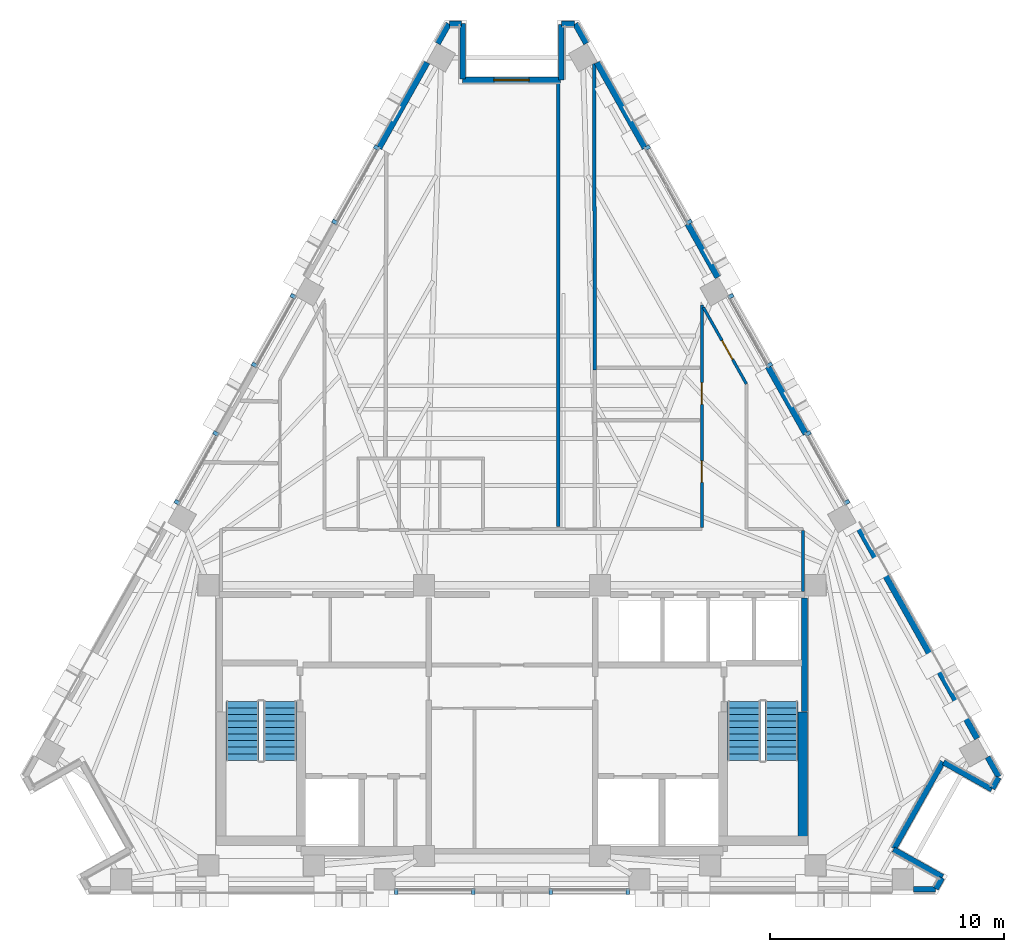
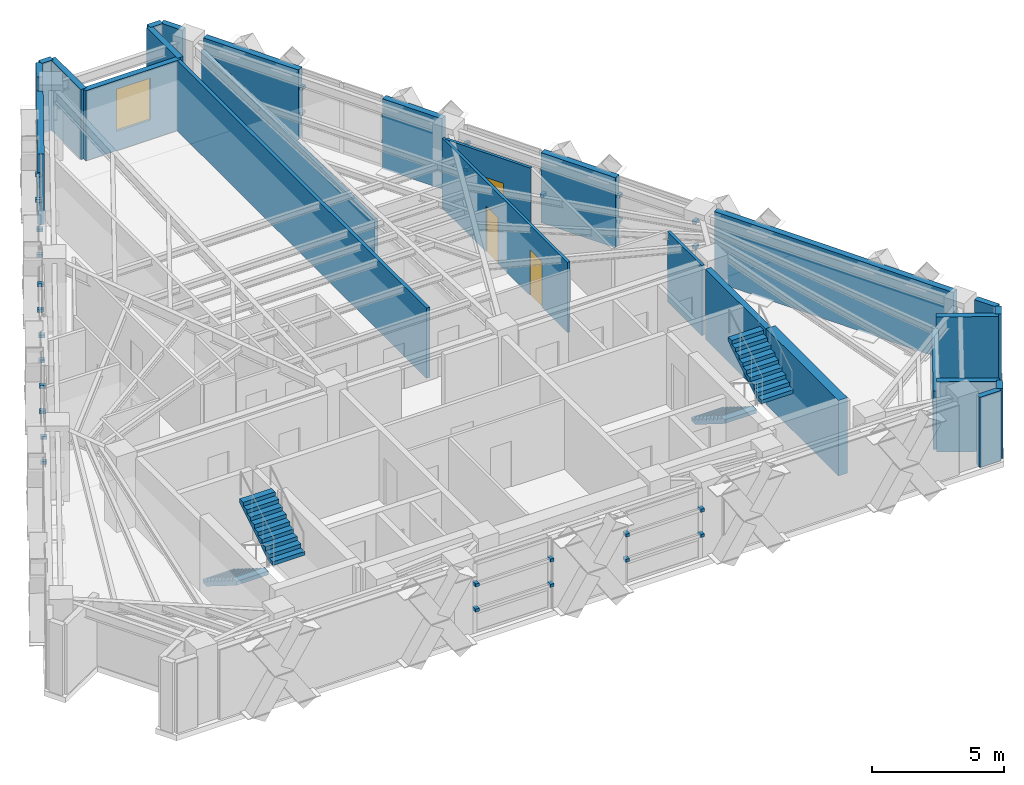
# One storey, part 9 of 12: 32 discrete accessories, 26 walls, 4 stair flights, 3 doors, 1 window, 4 openings, 2 elements without a shape of their own.
"""IFC4 building model written with IfcOpenShell, lengths in metres."""

from ifc_helpers import new_model, si_unit, direction, frame, frame_2d, origin, origin_2d, place, context, subcontext, project, spatial, polyline, rectangle, outline, extrude, material, layer, layer_set, type_object, element, fill, aggregate, save


model = new_model("IFC4")

# Units and contexts
model_context = context("Model", 3, precision=1e-05, world=origin(), true_north=direction((0.0, 1.0)))
body_context = subcontext(model_context, "Body", "Model", "MODEL_VIEW")
ifc_project = project(units=[si_unit("LENGTHUNIT", "METRE"), si_unit("AREAUNIT", "SQUARE_METRE"), si_unit("VOLUMEUNIT", "CUBIC_METRE"), si_unit("PLANEANGLEUNIT", "RADIAN"), si_unit("MASSUNIT", "GRAM", prefix="KILO")], contexts=[model_context])

# Site, building, storey
site_placement = place(None, origin())
site = spatial("IfcSite", under=ifc_project, at=site_placement, CompositionType="ELEMENT")
building_placement = place(site_placement, origin())
building = spatial("IfcBuilding", under=site, at=building_placement, Name="Quenlor Broadcast Tower", CompositionType="ELEMENT")
storey_placement = place(building_placement, frame((0.0, 0.0, 193.89990234375)))
storey = spatial("IfcBuildingStorey", under=building, at=storey_placement, Name="L53", CompositionType="ELEMENT", Elevation=193.89990234375)

# Walls
ifc_material_1 = material(Name="Acoustic Double Stud Gypsum Partition", Category="other")
ifc_layer_1 = layer(ifc_material_1, 0.14990234375)
ifc_layer_set_1 = layer_set([ifc_layer_1], Name="Broadcast Studio Acoustic Partition 150")
wall_type_1 = type_object("IfcWallType", Name="Broadcast Studio Acoustic Partition 150", PredefinedType="PARTITIONING", material=ifc_layer_set_1)
wall_1_placement = place(storey_placement, frame((3.540283203125, 4.373291015625, 0.0), z_axis=(0.0, 0.0, 1.0), x_axis=(-0.003041825214, 0.999995373639, 0.0)))
element("IfcWall", 1, at=wall_1_placement, inside=storey, type_object=wall_type_1, Name="L53 Interior Wall PW-DV-01", PredefinedType="PARTITIONING", context=body_context, shape_type="SweptSolid", body=[
    extrude(rectangle(XDim=13.08251953125, YDim=0.14990234375, at=frame_2d((6.541259765625, 0.0))), origin(), (0.0, 0.0, 1.0), 2.721923828125),
])
wall_2_placement = place(storey_placement, frame((1.967529296875, -2.2900390625, 0.0), z_axis=(0.0, 0.0, 1.0), x_axis=(0.0, 1.0, 0.0)))
element("IfcWall", 2, at=wall_2_placement, inside=storey, type_object=wall_type_1, Name="L53 Interior Wall PW-DV-03", PredefinedType="PARTITIONING", context=body_context, shape_type="SweptSolid", body=[
    extrude(rectangle(XDim=18.919921875, YDim=0.14990234375, at=frame_2d((9.4599609375, 0.0))), origin(), (0.0, 0.0, 1.0), 3.25),
])
ifc_material_2 = material(Name="Concrete C50/60", Category="concrete")
ifc_layer_2 = layer(ifc_material_2, 0.39990234375)
ifc_layer_set_2 = layer_set([ifc_layer_2], Name="Core Concrete C50/60 Shear Wall 400")
wall_type_2 = type_object("IfcWallType", Name="Core Concrete C50/60 Shear Wall 400", PredefinedType="SHEAR", material=ifc_layer_set_2)
wall_3_placement = place(storey_placement, frame((12.39990234375, -15.699951171875, 0.0), z_axis=(0.0, 0.0, 1.0), x_axis=(0.0, 1.0, 0.0)))
element("IfcWall", 3, at=wall_3_placement, inside=storey, type_object=wall_type_2, Name="L53 Core Shear Wall WF-E", PredefinedType="SHEAR", context=body_context, shape_type="SweptSolid", body=[
    extrude(rectangle(XDim=5.5, YDim=0.39990234375, at=frame_2d((2.75, 0.0))), origin(), (0.0, 0.0, 1.0), 3.5),
])
ifc_material_3 = material(Name="Concrete C40/50", Category="concrete")
ifc_layer_3 = layer(ifc_material_3, 0.25)
ifc_layer_set_3 = layer_set([ifc_layer_3], Name="Fire Rated Concrete C40/50 Core Wall 250")
wall_type_3 = type_object("IfcWallType", Name="Fire Rated Concrete C40/50 Core Wall 250", PredefinedType="PARTITIONING", material=ifc_layer_set_3)
wall_4_placement = place(storey_placement, frame((12.47998046875, -10.179931640625, 0.0), z_axis=(0.0, 0.0, 1.0), x_axis=(0.0, 1.0, 0.0)))
element("IfcWall", 4, at=wall_4_placement, inside=storey, type_object=wall_type_3, Name="L53 Interior Wall CW-ST2-E2", PredefinedType="PARTITIONING", context=body_context, shape_type="SweptSolid", body=[
    extrude(rectangle(XDim=4.83984375, YDim=0.25, at=frame_2d((2.419921875, 0.0))), origin(), (0.0, 0.0, 1.0), 3.25),
])

# Wall, openings, doors
ifc_material_4 = material(Name="Gypsum Plasterboard Partition", Category="other")
ifc_layer_4 = layer(ifc_material_4, 0.1201171875)
ifc_layer_set_4 = layer_set([ifc_layer_4], Name="Standard Office Partition 120")
wall_type_4 = type_object("IfcWallType", Name="Standard Office Partition 120", PredefinedType="PARTITIONING", material=ifc_layer_set_4)
wall_5_placement = place(storey_placement, frame((8.10009765625, -2.337890625, 0.0), z_axis=(0.0, 0.0, 1.0), x_axis=(0.0, 1.0, 0.0)))
wall_5 = element("IfcWall", 5, at=wall_5_placement, inside=storey, type_object=wall_type_4, Name="L53 Interior Wall PW-CR-07", PredefinedType="PARTITIONING", context=body_context, shape_type="SweptSolid", body=[
    extrude(rectangle(XDim=9.502685546875, YDim=0.1201171875, at=frame_2d((4.75146484375, 0.0))), origin(), (0.0, 0.0, 1.0), 3.25),
])
opening_1_placement = place(wall_5_placement, frame((5.256103515625, 0.0, 0.0)))
opening_1 = element("IfcOpeningElement", 6, at=opening_1_placement, cuts=wall_5, Name="Opening ID-1", PredefinedType="OPENING", context=body_context, shape_type="SweptSolid", body=[
    extrude(rectangle(XDim=0.919921875, YDim=2.1201171875, at=frame_2d((0.4599609375, 1.06005859375))), frame((0.0, 0.070068359375, 0.0), z_axis=(0.0, -1.0, 0.0), x_axis=(1.0, 0.0, 0.0)), (0.0, 0.0, 1.0), 0.14013671875),
])
opening_2_placement = place(wall_5_placement, frame((1.927978515625, 0.0, 0.0)))
opening_2 = element("IfcOpeningElement", 7, at=opening_2_placement, cuts=wall_5, Name="Opening ID-1", PredefinedType="OPENING", context=body_context, shape_type="SweptSolid", body=[
    extrude(rectangle(XDim=0.919921875, YDim=2.1201171875, at=frame_2d((0.4599609375, 1.06005859375))), frame((0.0, 0.070068359375, 0.0), z_axis=(0.0, -1.0, 0.0), x_axis=(1.0, 0.0, 0.0)), (0.0, 0.0, 1.0), 0.14013671875),
])
ifc_material_5 = material(Name="Solid Core Timber Oak", Category="wood")
door_type = type_object("IfcDoorType", Name="Single Leaf Timber Office Door 920x2120", OperationType="NOTDEFINED", PredefinedType="DOOR", material=ifc_material_5)
door_1_placement = place(opening_1_placement, origin())
door_1 = element("IfcDoor", 8, at=door_1_placement, inside=storey, type_object=door_type, Name="L53 Door DR-RM05", OperationType="SINGLE_SWING_LEFT", OverallHeight=2.1201171875, OverallWidth=0.919921875, PredefinedType="DOOR", context=body_context, shape_type="SweptSolid", body=[
    extrude(rectangle(XDim=0.919921875, YDim=2.1201171875, at=frame_2d((0.4599609375, 1.06005859375))), frame((0.0, 0.02490234375, 0.0), z_axis=(0.0, -1.0, 0.0), x_axis=(1.0, 0.0, 0.0)), (0.0, 0.0, 1.0), 0.050048828125),
])
fill(opening_1, door_1)
door_2_placement = place(opening_2_placement, origin())
door_2 = element("IfcDoor", 9, at=door_2_placement, inside=storey, type_object=door_type, Name="L53 Door DR-RM07", OperationType="SINGLE_SWING_LEFT", OverallHeight=2.1201171875, OverallWidth=0.919921875, PredefinedType="DOOR", context=body_context, shape_type="SweptSolid", body=[
    extrude(rectangle(XDim=0.919921875, YDim=2.1201171875, at=frame_2d((0.4599609375, 1.06005859375))), frame((0.0, 0.02490234375, 0.0), z_axis=(0.0, -1.0, 0.0), x_axis=(1.0, 0.0, 0.0)), (0.0, 0.0, 1.0), 0.050048828125),
])
fill(opening_2, door_2)

# Wall, opening, door
wall_6_placement = place(storey_placement, frame((8.162109375, 7.0546875, 0.0), z_axis=(0.0, 0.0, 1.0), x_axis=(0.490236504766, -0.871589450025, 0.0)))
wall_6 = element("IfcWall", 10, at=wall_6_placement, inside=storey, type_object=wall_type_4, Name="L53 Interior Wall PW-CR-08", PredefinedType="PARTITIONING", context=body_context, shape_type="SweptSolid", body=[
    extrude(rectangle(XDim=3.7490234375, YDim=0.1201171875, at=frame_2d((1.87451171875, 0.0))), origin(), (0.0, 0.0, 1.0), 3.25),
])
opening_3_placement = place(wall_6_placement, frame((1.6240234375, 0.0, 0.0)))
opening_3 = element("IfcOpeningElement", 11, at=opening_3_placement, cuts=wall_6, Name="Opening ID-1", PredefinedType="OPENING", context=body_context, shape_type="SweptSolid", body=[
    extrude(rectangle(XDim=0.919921875, YDim=2.1201171875, at=frame_2d((0.4599609375, 1.06005859375))), frame((0.0, 0.070068359375, 0.0), z_axis=(0.0, -1.0, 0.0), x_axis=(1.0, 0.0, 0.0)), (0.0, 0.0, 1.0), 0.14013671875),
])
door_3_placement = place(opening_3_placement, origin())
door_3 = element("IfcDoor", 12, at=door_3_placement, inside=storey, type_object=door_type, Name="L53 Door DR-RM01", OperationType="SINGLE_SWING_LEFT", OverallHeight=2.1201171875, OverallWidth=0.919921875, PredefinedType="DOOR", context=body_context, shape_type="SweptSolid", body=[
    extrude(rectangle(XDim=0.919921875, YDim=2.1201171875, at=frame_2d((0.4599609375, 1.06005859375))), frame((0.0, 0.02490234375, 0.0), z_axis=(0.0, -1.0, 0.0), x_axis=(1.0, 0.0, 0.0)), (0.0, 0.0, 1.0), 0.050048828125),
])
fill(opening_3, door_3)

# Walls
wall_7_placement = place(storey_placement, frame((12.409912109375, -2.4619140625, 0.0), z_axis=(0.0, 0.0, 1.0), x_axis=(0.0, -1.0, 0.0)))
element("IfcWall", 13, at=wall_7_placement, inside=storey, type_object=wall_type_4, Name="L53 Interior Wall PW-CR-11", PredefinedType="PARTITIONING", context=body_context, shape_type="SweptSolid", body=[
    extrude(rectangle(XDim=2.611083984375, YDim=0.1201171875, at=frame_2d((1.3056640625, 0.0))), origin(), (0.0, 0.0, 1.0), 3.25),
])
ifc_material_6 = material(Name="Precast concrete C40/50", Category="concrete")
ifc_layer_5 = layer(ifc_material_6, 0.239990234375)
ifc_layer_set_5 = layer_set([ifc_layer_5], Name="Terrace Threshold Precast Concrete C40/50 Wall 240")
wall_type_5 = type_object("IfcWallType", Name="Terrace Threshold Precast Concrete C40/50 Wall 240", PredefinedType="STANDARD", material=ifc_layer_set_5)
wall_8_placement = place(storey_placement, frame((18.06591796875, -17.77490234375, 0.0), z_axis=(0.0, 0.0, 1.0), x_axis=(-1.0, 0.0, 0.0)))
element("IfcWall", 14, at=wall_8_placement, inside=storey, type_object=wall_type_5, Name="L53 Exterior Wall L53-SHD-SS0", PredefinedType="STANDARD", context=body_context, shape_type="SweptSolid", body=[
    extrude(rectangle(XDim=0.93505859375, YDim=0.239990234375, at=frame_2d((0.467529296875, 0.0))), origin(), (0.0, 0.0, 1.0), 3.25),
])
for number, where, z_axis, x_axis, name in (
    (15, (2.6953125, 19.1494140625, 0.0), (0.0, 0.0, 1.0), (0.490345412687, -0.87152818443, 0.0), "L53 Exterior Wall L53-SHD-NES0"),
    (16, (20.289794921875, -12.1298828125, 0.0), (0.0, 0.0, 1.0), (0.490345412687, -0.87152818443, 0.0), "L53 Exterior Wall L53-SHD-NES1"),
    (17, (-3.16796875, 18.309326171875, 0.0), (0.0, 0.0, 1.0), (0.490345412687, 0.87152818443, 0.0), "L53 Exterior Wall L53-SHD-NWS1"),
):
    element("IfcWall", number, at=place(storey_placement, frame(where, z_axis=z_axis, x_axis=x_axis)), inside=storey, type_object=wall_type_5, Name=name, PredefinedType="STANDARD", context=body_context, shape_type="SweptSolid", body=[
        extrude(rectangle(XDim=0.9638671875, YDim=0.239990234375, at=frame_2d((0.48193359375, 0.0))), origin(), (0.0, 0.0, 1.0), 3.25),
    ])
wall_9_placement = place(storey_placement, frame((18.365966796875, -17.246826171875, 0.0), z_axis=(0.0, 0.0, 1.0), x_axis=(-0.871597270235, 0.490222600988, 0.0)))
element("IfcWall", 18, at=wall_9_placement, inside=storey, type_object=wall_type_5, Name="L53 Exterior Wall L53-CNR-01", PredefinedType="STANDARD", context=body_context, shape_type="SweptSolid", body=[
    extrude(rectangle(XDim=2.39990234375, YDim=0.239990234375, at=frame_2d((1.199951171875, 0.0))), origin(), (0.0, 0.0, 1.0), 3.25),
])
wall_10_placement = place(storey_placement, frame((16.293701171875, -16.035400390625, 0.0), z_axis=(0.0, 0.0, 1.0), x_axis=(0.49027487746, 0.871567865706, 0.0)))
element("IfcWall", 19, at=wall_10_placement, inside=storey, type_object=wall_type_5, Name="L53 Exterior Wall L53-CNR-02", PredefinedType="STANDARD", context=body_context, shape_type="SweptSolid", body=[
    extrude(rectangle(XDim=4.249755859375, YDim=0.239990234375, at=frame_2d((2.125, 0.0))), origin(), (0.0, 0.0, 1.0), 2.721923828125),
])
wall_11_placement = place(storey_placement, frame((18.412109375, -12.351318359375, 0.0), z_axis=(0.0, 0.0, 1.0), x_axis=(0.871578299909, -0.490256327984, 0.0)))
element("IfcWall", 20, at=wall_11_placement, inside=storey, type_object=wall_type_5, Name="L53 Exterior Wall L53-CNR-03", PredefinedType="STANDARD", context=body_context, shape_type="SweptSolid", body=[
    extrude(rectangle(XDim=2.35986328125, YDim=0.239990234375, at=frame_2d((1.179931640625, 0.0))), origin(), (0.0, 0.0, 1.0), 3.25),
])
wall_12_placement = place(storey_placement, frame((20.48876953125, -13.473388671875, 0.0), z_axis=(0.0, 0.0, 1.0), x_axis=(0.490133374867, 0.87164744871, 0.0)))
element("IfcWall", 21, at=wall_12_placement, inside=storey, type_object=wall_type_5, Name="L53 Exterior Wall L53-CNR-04", PredefinedType="STANDARD", context=body_context, shape_type="SweptSolid", body=[
    extrude(rectangle(XDim=0.5439453125, YDim=0.239990234375, at=frame_2d((0.27197265625, 0.0))), origin(), (0.0, 0.0, 1.0), 3.25),
])
wall_13_placement = place(storey_placement, frame((2.658447265625, 19.152099609375, 0.0), z_axis=(0.0, 0.0, 1.0), x_axis=(-1.0, 0.0, 0.0)))
element("IfcWall", 22, at=wall_13_placement, inside=storey, type_object=wall_type_5, Name="L53 Exterior Wall L53-CNR-06", PredefinedType="STANDARD", context=body_context, shape_type="SweptSolid", body=[
    extrude(rectangle(XDim=0.55224609375, YDim=0.239990234375, at=frame_2d((0.276123046875, 0.0))), origin(), (0.0, 0.0, 1.0), 3.25),
])
wall_14_placement = place(storey_placement, frame((2.106201171875, 19.112060546875, 0.0), z_axis=(0.0, 0.0, 1.0), x_axis=(0.0, -1.0, 0.0)))
element("IfcWall", 23, at=wall_14_placement, inside=storey, type_object=wall_type_5, Name="L53 Exterior Wall L53-CNR-07", PredefinedType="STANDARD", context=body_context, shape_type="SweptSolid", body=[
    extrude(rectangle(XDim=2.360107421875, YDim=0.239990234375, at=frame_2d((1.18017578125, 0.0))), origin(), (0.0, 0.0, 1.0), 3.25),
])

# Wall, opening, window
wall_15_placement = place(storey_placement, frame((2.066162109375, 16.751953125, 0.0), z_axis=(0.0, 0.0, 1.0), x_axis=(-1.0, 0.0, 0.0)))
wall_15 = element("IfcWall", 24, at=wall_15_placement, inside=storey, type_object=wall_type_5, Name="L53 Exterior Wall L53-CNR-08", PredefinedType="STANDARD", context=body_context, shape_type="SweptSolid", body=[
    extrude(rectangle(XDim=4.17236328125, YDim=0.239990234375, at=frame_2d((2.086181640625, 0.0))), origin(), (0.0, 0.0, 1.0), 3.25),
])
opening_4_placement = place(wall_15_placement, frame((1.3359375, 0.0, 0.89990234375)))
opening_4 = element("IfcOpeningElement", 25, at=opening_4_placement, cuts=wall_15, Name="Opening WN-3", PredefinedType="OPENING", context=body_context, shape_type="SweptSolid", body=[
    extrude(rectangle(XDim=1.5, YDim=1.949951171875, at=frame_2d((0.75, 0.97509765625))), frame((0.0, 0.1298828125, 0.0), z_axis=(0.0, -1.0, 0.0), x_axis=(1.0, 0.0, 0.0)), (0.0, 0.0, 1.0), 0.260009765625),
])
ifc_material_7 = material(Name="Thermally Broken Aluminium and Low-E Glass", Category="aluminium")
window_type = type_object("IfcWindowType", Name="Upper Tower Facade Window 1500x1950", PartitioningType="SINGLE_PANEL", PredefinedType="WINDOW", material=ifc_material_7)
window_placement = place(opening_4_placement, origin())
window = element("IfcWindow", 26, at=window_placement, inside=storey, type_object=window_type, Name="L53 Corner Chamfer Window 8", OverallHeight=1.949951171875, OverallWidth=1.5, PartitioningType="SINGLE_PANEL", PredefinedType="WINDOW", context=body_context, shape_type="SweptSolid", body=[
    extrude(rectangle(XDim=1.5, YDim=1.949951171875, at=frame_2d((0.75, 0.97509765625))), frame((0.0, 0.030029296875, 0.0), z_axis=(0.0, -1.0, 0.0), x_axis=(1.0, 0.0, 0.0)), (0.0, 0.0, 1.0), 0.06005859375),
])
fill(opening_4, window)

# Walls
wall_16_placement = place(storey_placement, frame((-2.106201171875, 16.7919921875, 0.0), z_axis=(0.0, 0.0, 1.0), x_axis=(0.0, 1.0, 0.0)))
element("IfcWall", 27, at=wall_16_placement, inside=storey, type_object=wall_type_5, Name="L53 Exterior Wall L53-CNR-09", PredefinedType="STANDARD", context=body_context, shape_type="SweptSolid", body=[
    extrude(rectangle(XDim=2.360107421875, YDim=0.239990234375, at=frame_2d((1.18017578125, 0.0))), origin(), (0.0, 0.0, 1.0), 3.25),
])
wall_17_placement = place(storey_placement, frame((-2.146240234375, 19.152099609375, 0.0), z_axis=(0.0, 0.0, 1.0), x_axis=(-1.0, 0.0, 0.0)))
element("IfcWall", 28, at=wall_17_placement, inside=storey, type_object=wall_type_5, Name="L53 Exterior Wall L53-CNR-10", PredefinedType="STANDARD", context=body_context, shape_type="SweptSolid", body=[
    extrude(rectangle(XDim=0.51220703125, YDim=0.239990234375, at=frame_2d((0.256103515625, 0.0))), origin(), (0.0, 0.0, 1.0), 3.25),
])
wall_18_placement = place(storey_placement, frame((18.081298828125, -17.752685546875, 0.0), z_axis=(0.0, 0.0, 1.0), x_axis=(0.490582915772, 0.871394516136, 0.0)))
element("IfcWall", 29, at=wall_18_placement, inside=storey, type_object=wall_type_5, Name="L53 Exterior Wall L53-CNR-18", PredefinedType="STANDARD", context=body_context, shape_type="SweptSolid", body=[
    extrude(rectangle(XDim=0.54052734375, YDim=0.239990234375, at=frame_2d((0.270263671875, 0.0))), origin(), (0.0, 0.0, 1.0), 3.25),
])
ifc_material_8 = material(Name="Precast concrete C40/50", Category="concrete")
ifc_layer_6 = layer(ifc_material_8, 0.260009765625)
ifc_layer_set_6 = layer_set([ifc_layer_6], Name="Terracotta Precast Concrete C40/50 Upper Wall 260")
wall_type_6 = type_object("IfcWallType", Name="Terracotta Precast Concrete C40/50 Upper Wall 260", PredefinedType="STANDARD", material=ifc_layer_set_6)
wall_19_placement = place(storey_placement, frame((3.623779296875, 17.498779296875, 0.0), z_axis=(0.0, 0.0, 1.0), x_axis=(0.490275081837, -0.87156775074, 0.0)))
element("IfcWall", 30, at=wall_19_placement, inside=storey, type_object=wall_type_6, Name="L53 Exterior Wall L53-NEA-SP1", PredefinedType="STANDARD", context=body_context, shape_type="SweptSolid", body=[
    extrude(rectangle(XDim=4.18701171875, YDim=0.260009765625, at=frame_2d((2.093505859375, 0.0))), origin(), (0.0, 0.0, 1.0), 3.25),
])
wall_20_placement = place(storey_placement, frame((7.493896484375, 10.618408203125, 0.0), z_axis=(0.0, 0.0, 1.0), x_axis=(0.490301099378, -0.871553114818, 0.0)))
element("IfcWall", 31, at=wall_20_placement, inside=storey, type_object=wall_type_6, Name="L53 Exterior Wall L53-NEA-SP2", PredefinedType="STANDARD", context=body_context, shape_type="SweptSolid", body=[
    extrude(rectangle(XDim=2.6171875, YDim=0.260009765625, at=frame_2d((1.30859375, 0.0))), origin(), (0.0, 0.0, 1.0), 3.25),
])
wall_21_placement = place(storey_placement, frame((14.6708984375, -2.140380859375, 0.0), z_axis=(0.0, 0.0, 1.0), x_axis=(0.490246958575, -0.871583570066, 0.0)))
element("IfcWall", 32, at=wall_21_placement, inside=storey, type_object=wall_type_6, Name="L53 Exterior Wall L53-EW-NEC", PredefinedType="STANDARD", context=body_context, shape_type="SweptSolid", body=[
    extrude(rectangle(XDim=10.551513671875, YDim=0.260009765625, at=frame_2d((5.27587890625, 0.0))), origin(), (0.0, 0.0, 1.0), 3.25),
])
wall_22_placement = place(storey_placement, frame((10.923095703125, 4.522216796875, 0.0), z_axis=(0.0, 0.0, 1.0), x_axis=(0.490264765862, -0.871573553611, 0.0)))
element("IfcWall", 33, at=wall_22_placement, inside=storey, type_object=wall_type_6, Name="L53 Exterior Wall L53-NE-SP1", PredefinedType="STANDARD", context=body_context, shape_type="SweptSolid", body=[
    extrude(rectangle(XDim=3.287109375, YDim=0.260009765625, at=frame_2d((1.6435546875, 0.0))), origin(), (0.0, 0.0, 1.0), 3.25),
])
wall_23_placement = place(storey_placement, frame((-5.676513671875, 13.849609375, 0.0), z_axis=(0.0, 0.0, 1.0), x_axis=(0.490275081837, 0.87156775074, 0.0)))
element("IfcWall", 34, at=wall_23_placement, inside=storey, type_object=wall_type_6, Name="L53 Exterior Wall L53-NWC-SP2", PredefinedType="STANDARD", context=body_context, shape_type="SweptSolid", body=[
    extrude(rectangle(XDim=4.18701171875, YDim=0.260009765625, at=frame_2d((2.093505859375, 0.0))), origin(), (0.0, 0.0, 1.0), 3.25),
])

# Stair, stair flights
ifc_material_9 = material(Name="Precast concrete C40/50", Category="concrete")
stair_type = type_object("IfcStairType", Name="Precast Concrete C40/50 Dogleg Stair H350", PredefinedType="HALF_TURN_STAIR", material=ifc_material_9)
stair_1_placement = place(storey_placement, origin())
stair_1 = element("IfcStair", 35, at=stair_1_placement, inside=storey, type_object=stair_type, Name="L53 West Core Fire-Isolated Exit Stair ST-1", PredefinedType="HALF_TURN_STAIR")
ifc_material_10 = material(Name="Precast concrete C40/50", Category="concrete")
ifc_layer_7 = layer(ifc_material_10, 0.159912109375)
ifc_layer_set_7 = layer_set([ifc_layer_7], Name="Precast Concrete C40/50 Stair Flight H350")
stair_flight_type = type_object("IfcStairFlightType", Name="Precast Concrete C40/50 Stair Flight H350", PredefinedType="STRAIGHT", material=ifc_layer_set_7)
stair_flight_1_placement = place(storey_placement, frame((-11.5, -9.75, 0.0), z_axis=(0.0, 0.0, 1.0), x_axis=(0.0, -1.0, 0.0)))
stair_flight_1 = element("IfcStairFlight", 36, at=stair_flight_1_placement, type_object=stair_flight_type, Name="ST-1 flight 1", NumberOfRisers=10, NumberOfTreads=9, PredefinedType="STRAIGHT", RiserHeight=0.175, TreadLength=0.28, context=body_context, shape_type="SweptSolid", body=[
    extrude(outline(polyline([(0.0, 0.0), (0.0, 0.175048828125), (0.280029296875, 0.175048828125), (0.280029296875, 0.35009765625), (0.56005859375, 0.35009765625), (0.56005859375, 0.52490234375), (0.840087890625, 0.52490234375), (0.840087890625, 0.699951171875), (1.1201171875, 0.699951171875), (1.1201171875, 0.875), (1.39990234375, 0.875), (1.39990234375, 1.050048828125), (1.679931640625, 1.050048828125), (1.679931640625, 1.22509765625), (1.9599609375, 1.22509765625), (1.9599609375, 1.39990234375), (2.239990234375, 1.39990234375), (2.239990234375, 1.574951171875), (2.52001953125, 1.574951171875), (2.52001953125, 1.75), (2.52001953125, 1.398193359375), (0.28271484375, 0.0), (0.0, 0.0)])), frame((0.0, 0.699951171875, 0.0), z_axis=(0.0, -1.0, 0.0), x_axis=(1.0, 0.0, 0.0)), (0.0, 0.0, 1.0), 1.39990234375),
])
stair_flight_2_placement = place(storey_placement, frame((-9.89990234375, -12.27001953125, 1.75), z_axis=(0.0, 0.0, 1.0), x_axis=(0.0, 1.0, 0.0)))
stair_flight_2 = element("IfcStairFlight", 37, at=stair_flight_2_placement, type_object=stair_flight_type, Name="ST-1 flight 2", NumberOfRisers=10, NumberOfTreads=9, PredefinedType="STRAIGHT", RiserHeight=0.175, TreadLength=0.28, context=body_context, shape_type="SweptSolid", body=[
    extrude(outline(polyline([(0.0, 0.0), (0.0, 0.175048828125), (0.280029296875, 0.175048828125), (0.280029296875, 0.35009765625), (0.56005859375, 0.35009765625), (0.56005859375, 0.52490234375), (0.840087890625, 0.52490234375), (0.840087890625, 0.699951171875), (1.1201171875, 0.699951171875), (1.1201171875, 0.875), (1.39990234375, 0.875), (1.39990234375, 1.050048828125), (1.679931640625, 1.050048828125), (1.679931640625, 1.22509765625), (1.9599609375, 1.22509765625), (1.9599609375, 1.39990234375), (2.239990234375, 1.39990234375), (2.239990234375, 1.574951171875), (2.52001953125, 1.574951171875), (2.52001953125, 1.75), (2.52001953125, 1.398193359375), (0.28271484375, 0.0), (0.0, 0.0)])), frame((0.0, 0.699951171875, 0.0), z_axis=(0.0, -1.0, 0.0), x_axis=(1.0, 0.0, 0.0)), (0.0, 0.0, 1.0), 1.39990234375),
])
aggregate(stair_1, [stair_flight_1, stair_flight_2])

stair_2_placement = place(storey_placement, origin())
stair_2 = element("IfcStair", 38, at=stair_2_placement, inside=storey, type_object=stair_type, Name="L53 East Core Fire-Isolated Exit Stair ST-2", PredefinedType="HALF_TURN_STAIR")
stair_flight_3_placement = place(storey_placement, frame((9.89990234375, -9.75, 0.0), z_axis=(0.0, 0.0, 1.0), x_axis=(0.0, -1.0, 0.0)))
stair_flight_3 = element("IfcStairFlight", 39, at=stair_flight_3_placement, type_object=stair_flight_type, Name="ST-2 flight 1", NumberOfRisers=10, NumberOfTreads=9, PredefinedType="STRAIGHT", RiserHeight=0.175, TreadLength=0.28, context=body_context, shape_type="SweptSolid", body=[
    extrude(outline(polyline([(0.0, 0.0), (0.0, 0.175048828125), (0.280029296875, 0.175048828125), (0.280029296875, 0.35009765625), (0.56005859375, 0.35009765625), (0.56005859375, 0.52490234375), (0.840087890625, 0.52490234375), (0.840087890625, 0.699951171875), (1.1201171875, 0.699951171875), (1.1201171875, 0.875), (1.39990234375, 0.875), (1.39990234375, 1.050048828125), (1.679931640625, 1.050048828125), (1.679931640625, 1.22509765625), (1.9599609375, 1.22509765625), (1.9599609375, 1.39990234375), (2.239990234375, 1.39990234375), (2.239990234375, 1.574951171875), (2.52001953125, 1.574951171875), (2.52001953125, 1.75), (2.52001953125, 1.398193359375), (0.28271484375, 0.0), (0.0, 0.0)])), frame((0.0, 0.699951171875, 0.0), z_axis=(0.0, -1.0, 0.0), x_axis=(1.0, 0.0, 0.0)), (0.0, 0.0, 1.0), 1.39990234375),
])
stair_flight_4_placement = place(storey_placement, frame((11.5, -12.27001953125, 1.75), z_axis=(0.0, 0.0, 1.0), x_axis=(0.0, 1.0, 0.0)))
stair_flight_4 = element("IfcStairFlight", 40, at=stair_flight_4_placement, type_object=stair_flight_type, Name="ST-2 flight 2", NumberOfRisers=10, NumberOfTreads=9, PredefinedType="STRAIGHT", RiserHeight=0.175, TreadLength=0.28, context=body_context, shape_type="SweptSolid", body=[
    extrude(outline(polyline([(0.0, 0.0), (0.0, 0.175048828125), (0.280029296875, 0.175048828125), (0.280029296875, 0.35009765625), (0.56005859375, 0.35009765625), (0.56005859375, 0.52490234375), (0.840087890625, 0.52490234375), (0.840087890625, 0.699951171875), (1.1201171875, 0.699951171875), (1.1201171875, 0.875), (1.39990234375, 0.875), (1.39990234375, 1.050048828125), (1.679931640625, 1.050048828125), (1.679931640625, 1.22509765625), (1.9599609375, 1.22509765625), (1.9599609375, 1.39990234375), (2.239990234375, 1.39990234375), (2.239990234375, 1.574951171875), (2.52001953125, 1.574951171875), (2.52001953125, 1.75), (2.52001953125, 1.398193359375), (0.28271484375, 0.0), (0.0, 0.0)])), frame((0.0, 0.699951171875, 0.0), z_axis=(0.0, -1.0, 0.0), x_axis=(1.0, 0.0, 0.0)), (0.0, 0.0, 1.0), 1.39990234375),
])
aggregate(stair_2, [stair_flight_3, stair_flight_4])

# Discrete accessories
ifc_material_11 = material(Name="Aluminium 6063-T6", Category="aluminium")
discrete_accessory_type = type_object("IfcDiscreteAccessoryType", Name="Stainless Mullion Baguette Support Bracket", PredefinedType="BRACKET", material=ifc_material_11)
for number, where, z_axis, x_axis, name in (
    (41, (4.933837890625, -17.864990234375, 1.10009765625), (0.0, 0.0, 1.0), (-1.0, 0.0, 0.0), "L53 Baguette Mullion Bracket 1.1"),
    (42, (1.655029296875, -17.864990234375, 1.10009765625), (0.0, 0.0, 1.0), (-1.0, 0.0, 0.0), "L53 Baguette Mullion Bracket 1.2"),
    (43, (4.933837890625, -17.864990234375, 2.27001953125), (0.0, 0.0, 1.0), (-1.0, 0.0, 0.0), "L53 Baguette Mullion Bracket 2.1"),
    (44, (1.655029296875, -17.864990234375, 2.27001953125), (0.0, 0.0, 1.0), (-1.0, 0.0, 0.0), "L53 Baguette Mullion Bracket 2.2"),
    (45, (-1.655029296875, -17.864990234375, 1.10009765625), (0.0, 0.0, 1.0), (-1.0, 0.0, 0.0), "L53 Baguette Mullion Bracket 1.1"),
    (46, (-4.933837890625, -17.864990234375, 1.10009765625), (0.0, 0.0, 1.0), (-1.0, 0.0, 0.0), "L53 Baguette Mullion Bracket 1.2"),
    (47, (-1.655029296875, -17.864990234375, 2.27001953125), (0.0, 0.0, 1.0), (-1.0, 0.0, 0.0), "L53 Baguette Mullion Bracket 2.1"),
    (48, (-4.933837890625, -17.864990234375, 2.27001953125), (0.0, 0.0, 1.0), (-1.0, 0.0, 0.0), "L53 Baguette Mullion Bracket 2.2"),
    (49, (5.771484375, 13.864013671875, 1.10009765625), (0.0, 0.0, 1.0), (0.490260425147, -0.871575995272, 0.0), "L53 Baguette Mullion Bracket 1.1"),
    (50, (7.555908203125, 10.692138671875, 1.10009765625), (0.0, 0.0, 1.0), (0.490260425147, -0.871575995272, 0.0), "L53 Baguette Mullion Bracket 1.2"),
    (51, (5.771484375, 13.864013671875, 2.27001953125), (0.0, 0.0, 1.0), (0.490260425147, -0.871575995272, 0.0), "L53 Baguette Mullion Bracket 2.1"),
    (52, (7.555908203125, 10.692138671875, 2.27001953125), (0.0, 0.0, 1.0), (0.490260425147, -0.871575995272, 0.0), "L53 Baguette Mullion Bracket 2.2"),
    (53, (9.33544921875, 7.5283203125, 1.10009765625), (0.0, 0.0, 1.0), (0.49025738277, -0.871577706599, 0.0), "L53 Baguette Mullion Bracket 1.1"),
    (54, (10.98486328125, 4.595947265625, 1.10009765625), (0.0, 0.0, 1.0), (0.49025738277, -0.871577706599, 0.0), "L53 Baguette Mullion Bracket 1.2"),
    (55, (9.33544921875, 7.5283203125, 2.27001953125), (0.0, 0.0, 1.0), (0.49025738277, -0.871577706599, 0.0), "L53 Baguette Mullion Bracket 2.1"),
    (56, (10.98486328125, 4.595947265625, 2.27001953125), (0.0, 0.0, 1.0), (0.49025738277, -0.871577706599, 0.0), "L53 Baguette Mullion Bracket 2.2"),
    (57, (12.6298828125, 1.671630859375, 1.10009765625), (0.0, 0.0, 1.0), (0.49025738277, -0.871577706599, 0.0), "L53 Baguette Mullion Bracket 1.1"),
    (58, (14.279296875, -1.260498046875, 1.10009765625), (0.0, 0.0, 1.0), (0.49025738277, -0.871577706599, 0.0), "L53 Baguette Mullion Bracket 1.2"),
    (59, (12.6298828125, 1.671630859375, 2.27001953125), (0.0, 0.0, 1.0), (0.49025738277, -0.871577706599, 0.0), "L53 Baguette Mullion Bracket 2.1"),
    (60, (14.279296875, -1.260498046875, 2.27001953125), (0.0, 0.0, 1.0), (0.49025738277, -0.871577706599, 0.0), "L53 Baguette Mullion Bracket 2.2"),
    (61, (-7.555908203125, 10.692138671875, 1.10009765625), (0.0, 0.0, 1.0), (0.490260425147, 0.871575995272, 0.0), "L53 Baguette Mullion Bracket 1.1"),
    (62, (-5.771484375, 13.864013671875, 1.10009765625), (0.0, 0.0, 1.0), (0.490260425147, 0.871575995272, 0.0), "L53 Baguette Mullion Bracket 1.2"),
    (63, (-7.555908203125, 10.692138671875, 2.27001953125), (0.0, 0.0, 1.0), (0.490260425147, 0.871575995272, 0.0), "L53 Baguette Mullion Bracket 2.1"),
    (64, (-5.771484375, 13.864013671875, 2.27001953125), (0.0, 0.0, 1.0), (0.490260425147, 0.871575995272, 0.0), "L53 Baguette Mullion Bracket 2.2"),
    (65, (-14.279296875, -1.260498046875, 1.10009765625), (0.0, 0.0, 1.0), (0.49025738277, 0.871577706599, 0.0), "L53 Baguette Mullion Bracket 1.1"),
    (66, (-12.6298828125, 1.671630859375, 1.10009765625), (0.0, 0.0, 1.0), (0.49025738277, 0.871577706599, 0.0), "L53 Baguette Mullion Bracket 1.2"),
    (67, (-14.279296875, -1.260498046875, 2.27001953125), (0.0, 0.0, 1.0), (0.49025738277, 0.871577706599, 0.0), "L53 Baguette Mullion Bracket 2.1"),
    (68, (-12.6298828125, 1.671630859375, 2.27001953125), (0.0, 0.0, 1.0), (0.49025738277, 0.871577706599, 0.0), "L53 Baguette Mullion Bracket 2.2"),
    (69, (-10.98486328125, 4.595947265625, 1.10009765625), (0.0, 0.0, 1.0), (0.49025738277, 0.871577706599, 0.0), "L53 Baguette Mullion Bracket 1.1"),
    (70, (-9.33544921875, 7.5283203125, 1.10009765625), (0.0, 0.0, 1.0), (0.49025738277, 0.871577706599, 0.0), "L53 Baguette Mullion Bracket 1.2"),
    (71, (-10.98486328125, 4.595947265625, 2.27001953125), (0.0, 0.0, 1.0), (0.49025738277, 0.871577706599, 0.0), "L53 Baguette Mullion Bracket 2.1"),
    (72, (-9.33544921875, 7.5283203125, 2.27001953125), (0.0, 0.0, 1.0), (0.49025738277, 0.871577706599, 0.0), "L53 Baguette Mullion Bracket 2.2"),
):
    element("IfcDiscreteAccessory", number, at=place(storey_placement, frame(where, z_axis=z_axis, x_axis=x_axis)), inside=storey, type_object=discrete_accessory_type, Name=name, PredefinedType="BRACKET", context=body_context, shape_type="SweptSolid", body=[
        extrude(rectangle(XDim=0.159912109375, YDim=0.239990234375, at=origin_2d()), origin(), (0.0, 0.0, 1.0), 0.139892578125),
    ])

save(model, "model.ifc")
